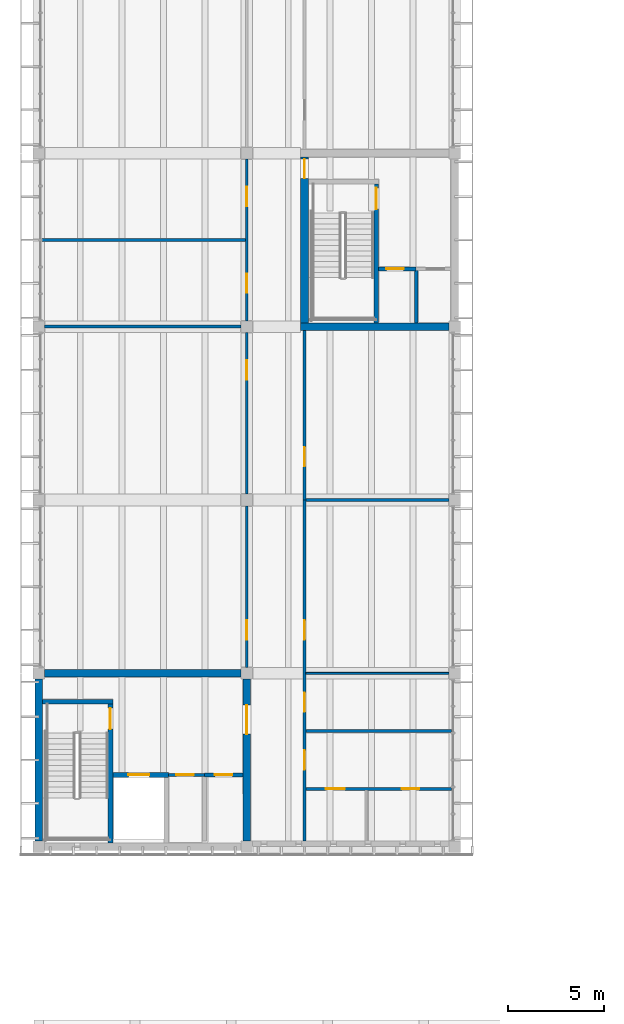
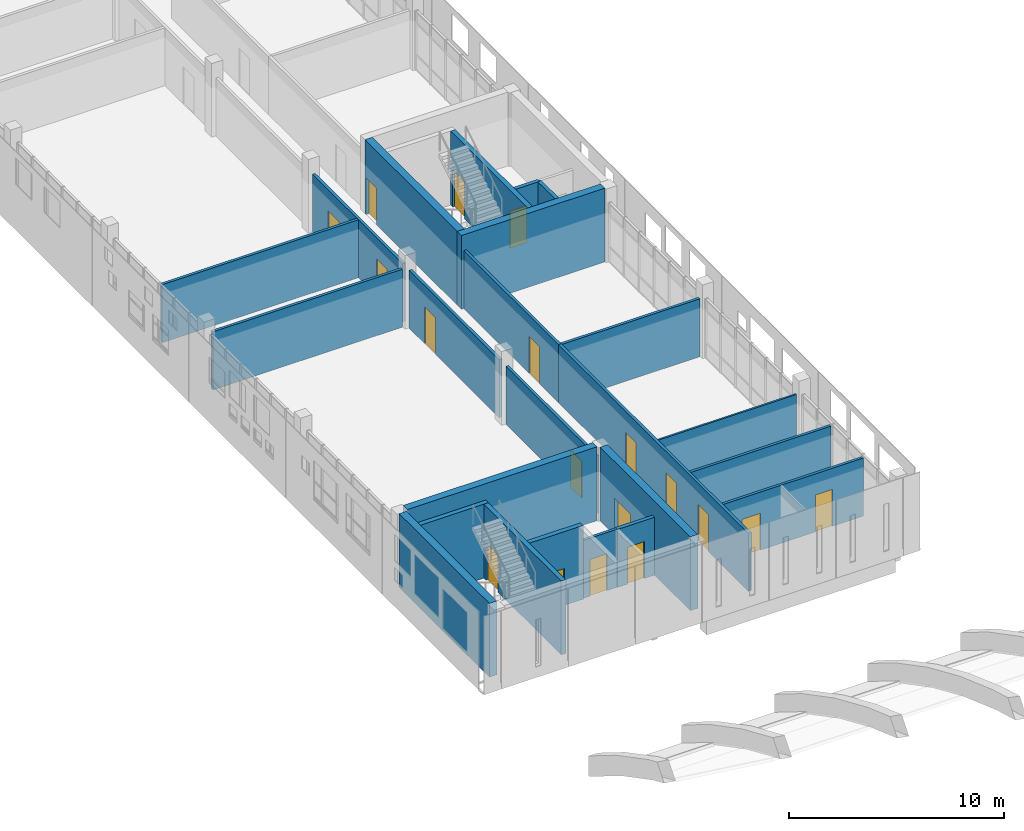
# One storey, part 52 of 88: 24 walls, 18 doors, 18 openings.
"""IFC4 building model written with IfcOpenShell, lengths in metres."""

from ifc_helpers import new_model, si_unit, direction, frame, frame_2d, origin, place, context, subcontext, project, spatial, rectangle, extrude, material, layer, layer_set, type_object, element, fill, save


model = new_model("IFC4")

# Units and contexts
model_context = context("Model", 3, precision=1e-05, world=origin(), true_north=direction((0.0, 1.0)))
body_context = subcontext(model_context, "Body", "Model", "MODEL_VIEW")
ifc_project = project(units=[si_unit("LENGTHUNIT", "METRE"), si_unit("AREAUNIT", "SQUARE_METRE"), si_unit("VOLUMEUNIT", "CUBIC_METRE"), si_unit("PLANEANGLEUNIT", "RADIAN"), si_unit("MASSUNIT", "GRAM", prefix="KILO")], contexts=[model_context])

# Site, building, storey
site_placement = place(None, origin())
site = spatial("IfcSite", under=ifc_project, at=site_placement, CompositionType="ELEMENT")
building_placement = place(site_placement, origin())
building = spatial("IfcBuilding", under=site, at=building_placement, Name="Merrow Basin Faculty of Sciences", CompositionType="ELEMENT")
storey_placement = place(building_placement, frame((0.0, 0.0, 9.0)))
storey = spatial("IfcBuildingStorey", under=building, at=storey_placement, Name="L02", CompositionType="ELEMENT", Elevation=9.0)

# Wall, openings, doors
ifc_material_1 = material(Name="Fire-rated gypsum board")
ifc_layer_1 = layer(ifc_material_1, 0.14990234375)
ifc_layer_set_1 = layer_set([ifc_layer_1], Name="Corridor partition 150 fire-rated board on steel studs")
wall_type_1 = type_object("IfcWallType", Name="Corridor partition 150 fire-rated board on steel studs", PredefinedType="PARTITIONING", material=ifc_layer_set_1)
wall_1_placement = place(storey_placement, frame((13.800048828125, 61.300048828125, 0.0), z_axis=(0.0, 0.0, 1.0), x_axis=(0.0, 1.0, 0.0)))
wall_1 = element("IfcWall", 1, at=wall_1_placement, inside=storey, type_object=wall_type_1, Name="IW151 L02 006", PredefinedType="PARTITIONING", context=body_context, shape_type="SweptSolid", body=[
    extrude(rectangle(XDim=17.699951171875, YDim=0.14990234375, at=frame_2d((8.85009765625, 0.0))), origin(), (0.0, 0.0, 1.0), 3.300048828125),
])
opening_1_placement = place(wall_1_placement, frame((3.699951171875, 0.0, 0.0)))
opening_1 = element("IfcOpeningElement", 2, at=opening_1_placement, cuts=wall_1, Name="Opening D02B014", PredefinedType="OPENING", context=body_context, shape_type="SweptSolid", body=[
    extrude(rectangle(XDim=1.0, YDim=2.10009765625, at=frame_2d((0.5, 1.050048828125))), frame((0.0, 0.0849609375, 0.0), z_axis=(0.0, -1.0, 0.0), x_axis=(1.0, 0.0, 0.0)), (0.0, 0.0, 1.0), 0.169921875),
])
opening_2_placement = place(wall_1_placement, frame((10.449951171875, 0.0, 0.0)))
opening_2 = element("IfcOpeningElement", 3, at=opening_2_placement, cuts=wall_1, Name="Opening D02B022", PredefinedType="OPENING", context=body_context, shape_type="SweptSolid", body=[
    extrude(rectangle(XDim=1.0, YDim=2.10009765625, at=frame_2d((0.5, 1.050048828125))), frame((0.0, 0.0849609375, 0.0), z_axis=(0.0, -1.0, 0.0), x_axis=(1.0, 0.0, 0.0)), (0.0, 0.0, 1.0), 0.169921875),
])
opening_3_placement = place(wall_1_placement, frame((6.699951171875, 0.0, 0.0)))
opening_3 = element("IfcOpeningElement", 4, at=opening_3_placement, cuts=wall_1, Name="Opening D02B026", PredefinedType="OPENING", context=body_context, shape_type="SweptSolid", body=[
    extrude(rectangle(XDim=1.0, YDim=2.10009765625, at=frame_2d((0.5, 1.050048828125))), frame((0.0, 0.0849609375, 0.0), z_axis=(0.0, -1.0, 0.0), x_axis=(1.0, 0.0, 0.0)), (0.0, 0.0, 1.0), 0.169921875),
])
ifc_material_2 = material(Name="Timber door leaf", Category="wood")
door_type_1 = type_object("IfcDoorType", Name="Single swing door 1000 x 2100", OperationType="NOTDEFINED", PredefinedType="DOOR", material=ifc_material_2)
door_1_placement = place(opening_1_placement, origin())
door_1 = element("IfcDoor", 5, at=door_1_placement, inside=storey, type_object=door_type_1, Name="Door D02B014", OperationType="SINGLE_SWING_LEFT", OverallHeight=2.10009765625, OverallWidth=1.0, PredefinedType="DOOR", context=body_context, shape_type="SweptSolid", body=[
    extrude(rectangle(XDim=1.0, YDim=2.10009765625, at=frame_2d((0.5, 1.050048828125))), frame((0.0, 0.02490234375, 0.0), z_axis=(0.0, -1.0, 0.0), x_axis=(1.0, 0.0, 0.0)), (0.0, 0.0, 1.0), 0.050048828125),
])
fill(opening_1, door_1)
door_2_placement = place(opening_2_placement, origin())
door_2 = element("IfcDoor", 6, at=door_2_placement, inside=storey, type_object=door_type_1, Name="Door D02B022", OperationType="SINGLE_SWING_LEFT", OverallHeight=2.10009765625, OverallWidth=1.0, PredefinedType="DOOR", context=body_context, shape_type="SweptSolid", body=[
    extrude(rectangle(XDim=1.0, YDim=2.10009765625, at=frame_2d((0.5, 1.050048828125))), frame((0.0, 0.02490234375, 0.0), z_axis=(0.0, -1.0, 0.0), x_axis=(1.0, 0.0, 0.0)), (0.0, 0.0, 1.0), 0.050048828125),
])
fill(opening_2, door_2)
door_3_placement = place(opening_3_placement, origin())
door_3 = element("IfcDoor", 7, at=door_3_placement, inside=storey, type_object=door_type_1, Name="Door D02B026", OperationType="SINGLE_SWING_LEFT", OverallHeight=2.10009765625, OverallWidth=1.0, PredefinedType="DOOR", context=body_context, shape_type="SweptSolid", body=[
    extrude(rectangle(XDim=1.0, YDim=2.10009765625, at=frame_2d((0.5, 1.050048828125))), frame((0.0, 0.02490234375, 0.0), z_axis=(0.0, -1.0, 0.0), x_axis=(1.0, 0.0, 0.0)), (0.0, 0.0, 1.0), 0.050048828125),
])
fill(opening_3, door_3)

wall_2_placement = place(storey_placement, frame((13.875, 64.0, 0.0), z_axis=(0.0, 0.0, 1.0), x_axis=(1.0, 0.0, 0.0)))
wall_2 = element("IfcWall", 8, at=wall_2_placement, inside=storey, type_object=wall_type_1, Name="IW151 L02 008", PredefinedType="PARTITIONING", context=body_context, shape_type="SweptSolid", body=[
    extrude(rectangle(XDim=7.544921875, YDim=0.14990234375, at=frame_2d((3.7724609375, 0.0))), origin(), (0.0, 0.0, 1.0), 3.300048828125),
])
opening_4_placement = place(wall_2_placement, frame((1.02490234375, 0.0, 0.0)))
opening_4 = element("IfcOpeningElement", 9, at=opening_4_placement, cuts=wall_2, Name="Opening D02B012", PredefinedType="OPENING", context=body_context, shape_type="SweptSolid", body=[
    extrude(rectangle(XDim=1.0, YDim=2.10009765625, at=frame_2d((0.5, 1.050048828125))), frame((0.0, 0.0849609375, 0.0), z_axis=(0.0, -1.0, 0.0), x_axis=(1.0, 0.0, 0.0)), (0.0, 0.0, 1.0), 0.169921875),
])
opening_5_placement = place(wall_2_placement, frame((4.97509765625, 0.0, 0.0)))
opening_5 = element("IfcOpeningElement", 10, at=opening_5_placement, cuts=wall_2, Name="Opening D02B013", PredefinedType="OPENING", context=body_context, shape_type="SweptSolid", body=[
    extrude(rectangle(XDim=0.89990234375, YDim=2.10009765625, at=frame_2d((0.449951171875, 1.050048828125))), frame((0.0, 0.0849609375, 0.0), z_axis=(0.0, -1.0, 0.0), x_axis=(1.0, 0.0, 0.0)), (0.0, 0.0, 1.0), 0.169921875),
])
ifc_material_3 = material(Name="Timber door leaf", Category="wood")
door_type_2 = type_object("IfcDoorType", Name="Accessible door 1000 x 2100", OperationType="NOTDEFINED", PredefinedType="DOOR", material=ifc_material_3)
door_4_placement = place(opening_4_placement, origin())
door_4 = element("IfcDoor", 11, at=door_4_placement, inside=storey, type_object=door_type_2, Name="Door D02B012", OperationType="SINGLE_SWING_LEFT", OverallHeight=2.10009765625, OverallWidth=1.0, PredefinedType="DOOR", context=body_context, shape_type="SweptSolid", body=[
    extrude(rectangle(XDim=1.0, YDim=2.10009765625, at=frame_2d((0.5, 1.050048828125))), frame((0.0, 0.02490234375, 0.0), z_axis=(0.0, -1.0, 0.0), x_axis=(1.0, 0.0, 0.0)), (0.0, 0.0, 1.0), 0.050048828125),
])
fill(opening_4, door_4)
ifc_material_4 = material(Name="Timber door leaf", Category="wood")
door_type_3 = type_object("IfcDoorType", Name="Single swing door 900 x 2100", OperationType="NOTDEFINED", PredefinedType="DOOR", material=ifc_material_4)
door_5_placement = place(opening_5_placement, origin())
door_5 = element("IfcDoor", 12, at=door_5_placement, inside=storey, type_object=door_type_3, Name="Door D02B013", OperationType="SINGLE_SWING_LEFT", OverallHeight=2.10009765625, OverallWidth=0.89990234375, PredefinedType="DOOR", context=body_context, shape_type="SweptSolid", body=[
    extrude(rectangle(XDim=0.89990234375, YDim=2.10009765625, at=frame_2d((0.449951171875, 1.050048828125))), frame((0.0, 0.02490234375, 0.0), z_axis=(0.0, -1.0, 0.0), x_axis=(1.0, 0.0, 0.0)), (0.0, 0.0, 1.0), 0.050048828125),
])
fill(opening_5, door_5)

# Wall, opening, door
wall_3_placement = place(storey_placement, frame((6.75, 64.72509765625, 0.0), z_axis=(0.0, 0.0, 1.0), x_axis=(1.0, 0.0, 0.0)))
wall_3 = element("IfcWall", 13, at=wall_3_placement, inside=storey, type_object=wall_type_1, Name="IW151 L02 009", PredefinedType="PARTITIONING", context=body_context, shape_type="SweptSolid", body=[
    extrude(rectangle(XDim=1.85009765625, YDim=0.14990234375, at=frame_2d((0.925048828125, 0.0))), origin(), (0.0, 0.0, 1.0), 3.300048828125),
])
opening_6_placement = place(wall_3_placement, frame((0.39990234375, 0.0, 0.0)))
opening_6 = element("IfcOpeningElement", 14, at=opening_6_placement, cuts=wall_3, Name="Opening D02B002", PredefinedType="OPENING", context=body_context, shape_type="SweptSolid", body=[
    extrude(rectangle(XDim=0.89990234375, YDim=2.10009765625, at=frame_2d((0.449951171875, 1.050048828125))), frame((0.0, 0.0849609375, 0.0), z_axis=(0.0, -1.0, 0.0), x_axis=(1.0, 0.0, 0.0)), (0.0, 0.0, 1.0), 0.169921875),
])
ifc_material_5 = material(Name="Fire-rated steel door", Category="steel")
door_type_4 = type_object("IfcDoorType", Name="Fire door FD60 900 x 2100", OperationType="NOTDEFINED", PredefinedType="DOOR", material=ifc_material_5)
door_6_placement = place(opening_6_placement, origin())
door_6 = element("IfcDoor", 15, at=door_6_placement, inside=storey, type_object=door_type_4, Name="Door D02B002", OperationType="SINGLE_SWING_LEFT", OverallHeight=2.10009765625, OverallWidth=0.89990234375, PredefinedType="DOOR", context=body_context, shape_type="SweptSolid", body=[
    extrude(rectangle(XDim=0.89990234375, YDim=2.10009765625, at=frame_2d((0.449951171875, 1.050048828125))), frame((0.0, 0.02490234375, 0.0), z_axis=(0.0, -1.0, 0.0), x_axis=(1.0, 0.0, 0.0)), (0.0, 0.0, 1.0), 0.050048828125),
])
fill(opening_6, door_6)

# Wall
wall_4_placement = place(storey_placement, frame((13.875, 67.0, 0.0), z_axis=(0.0, 0.0, 1.0), x_axis=(1.0, 0.0, 0.0)))
element("IfcWall", 16, at=wall_4_placement, inside=storey, type_object=wall_type_1, Name="IW151 L02 010", PredefinedType="PARTITIONING", context=body_context, shape_type="SweptSolid", body=[
    extrude(rectangle(XDim=7.544921875, YDim=0.14990234375, at=frame_2d((3.7724609375, 0.0))), origin(), (0.0, 0.0, 1.0), 3.300048828125),
])

# Wall, opening, door
ifc_material_6 = material(Name="Fire-rated gypsum board")
ifc_layer_2 = layer(ifc_material_6, 0.14990234375)
ifc_layer_set_2 = layer_set([ifc_layer_2], Name="Laboratory partition 150 fire-rated board on steel studs")
wall_type_2 = type_object("IfcWallType", Name="Laboratory partition 150 fire-rated board on steel studs", PredefinedType="PARTITIONING", material=ifc_layer_set_2)
wall_5_placement = place(storey_placement, frame((10.800048828125, 70.300048828125, 0.0), z_axis=(0.0, 0.0, 1.0), x_axis=(0.0, 1.0, 0.0)))
wall_5 = element("IfcWall", 17, at=wall_5_placement, inside=storey, type_object=wall_type_2, Name="IW150 L02 012", PredefinedType="PARTITIONING", context=body_context, shape_type="SweptSolid", body=[
    extrude(rectangle(XDim=8.39990234375, YDim=0.14990234375, at=frame_2d((4.199951171875, 0.0))), origin(), (0.0, 0.0, 1.0), 3.300048828125),
])
opening_7_placement = place(wall_5_placement, frame((1.449951171875, 0.0, 0.0)))
opening_7 = element("IfcOpeningElement", 18, at=opening_7_placement, cuts=wall_5, Name="Opening D02B015", PredefinedType="OPENING", context=body_context, shape_type="SweptSolid", body=[
    extrude(rectangle(XDim=1.0, YDim=2.10009765625, at=frame_2d((0.5, 1.050048828125))), frame((0.0, 0.0849609375, 0.0), z_axis=(0.0, -1.0, 0.0), x_axis=(1.0, 0.0, 0.0)), (0.0, 0.0, 1.0), 0.169921875),
])
ifc_material_7 = material(Name="Fire-rated steel door", Category="steel")
door_type_5 = type_object("IfcDoorType", Name="Fire door FD60 1000 x 2100", OperationType="NOTDEFINED", PredefinedType="DOOR", material=ifc_material_7)
door_7_placement = place(opening_7_placement, origin())
door_7 = element("IfcDoor", 19, at=door_7_placement, inside=storey, type_object=door_type_5, Name="Door D02B015", OperationType="SINGLE_SWING_LEFT", OverallHeight=2.10009765625, OverallWidth=1.0, PredefinedType="DOOR", context=body_context, shape_type="SweptSolid", body=[
    extrude(rectangle(XDim=1.0, YDim=2.10009765625, at=frame_2d((0.5, 1.050048828125))), frame((0.0, 0.02490234375, 0.0), z_axis=(0.0, -1.0, 0.0), x_axis=(1.0, 0.0, 0.0)), (0.0, 0.0, 1.0), 0.050048828125),
])
fill(opening_7, door_7)

wall_6_placement = place(storey_placement, frame((10.800048828125, 79.300048828125, 0.0), z_axis=(0.0, 0.0, 1.0), x_axis=(0.0, 1.0, 0.0)))
wall_6 = element("IfcWall", 20, at=wall_6_placement, inside=storey, type_object=wall_type_2, Name="IW150 L02 013", PredefinedType="PARTITIONING", context=body_context, shape_type="SweptSolid", body=[
    extrude(rectangle(XDim=8.39990234375, YDim=0.14990234375, at=frame_2d((4.199951171875, 0.0))), origin(), (0.0, 0.0, 1.0), 3.300048828125),
])
opening_8_placement = place(wall_6_placement, frame((5.949951171875, 0.0, 0.0)))
opening_8 = element("IfcOpeningElement", 21, at=opening_8_placement, cuts=wall_6, Name="Opening D02B016", PredefinedType="OPENING", context=body_context, shape_type="SweptSolid", body=[
    extrude(rectangle(XDim=1.0, YDim=2.10009765625, at=frame_2d((0.5, 1.050048828125))), frame((0.0, 0.0849609375, 0.0), z_axis=(0.0, -1.0, 0.0), x_axis=(1.0, 0.0, 0.0)), (0.0, 0.0, 1.0), 0.169921875),
])
door_8_placement = place(opening_8_placement, origin())
door_8 = element("IfcDoor", 22, at=door_8_placement, inside=storey, type_object=door_type_5, Name="Door D02B016", OperationType="SINGLE_SWING_RIGHT", OverallHeight=2.10009765625, OverallWidth=1.0, PredefinedType="DOOR", context=body_context, shape_type="SweptSolid", body=[
    extrude(rectangle(XDim=1.0, YDim=2.10009765625, at=frame_2d((0.5, 1.050048828125))), frame((0.0, 0.02490234375, 0.0), z_axis=(0.0, -1.0, 0.0), x_axis=(1.0, 0.0, 0.0)), (0.0, 0.0, 1.0), 0.050048828125),
])
fill(opening_8, door_8)

# Wall, openings, doors
wall_7_placement = place(storey_placement, frame((10.800048828125, 88.300048828125, 0.0), z_axis=(0.0, 0.0, 1.0), x_axis=(0.0, 1.0, 0.0)))
wall_7 = element("IfcWall", 23, at=wall_7_placement, inside=storey, type_object=wall_type_2, Name="IW150 L02 014", PredefinedType="PARTITIONING", context=body_context, shape_type="SweptSolid", body=[
    extrude(rectangle(XDim=8.39990234375, YDim=0.14990234375, at=frame_2d((4.199951171875, 0.0))), origin(), (0.0, 0.0, 1.0), 3.300048828125),
])
opening_9_placement = place(wall_7_placement, frame((1.449951171875, 0.0, 0.0)))
opening_9 = element("IfcOpeningElement", 24, at=opening_9_placement, cuts=wall_7, Name="Opening D02B017", PredefinedType="OPENING", context=body_context, shape_type="SweptSolid", body=[
    extrude(rectangle(XDim=1.0, YDim=2.10009765625, at=frame_2d((0.5, 1.050048828125))), frame((0.0, 0.0849609375, 0.0), z_axis=(0.0, -1.0, 0.0), x_axis=(1.0, 0.0, 0.0)), (0.0, 0.0, 1.0), 0.169921875),
])
opening_10_placement = place(wall_7_placement, frame((5.949951171875, 0.0, 0.0)))
opening_10 = element("IfcOpeningElement", 25, at=opening_10_placement, cuts=wall_7, Name="Opening D02B018", PredefinedType="OPENING", context=body_context, shape_type="SweptSolid", body=[
    extrude(rectangle(XDim=1.0, YDim=2.10009765625, at=frame_2d((0.5, 1.050048828125))), frame((0.0, 0.0849609375, 0.0), z_axis=(0.0, -1.0, 0.0), x_axis=(1.0, 0.0, 0.0)), (0.0, 0.0, 1.0), 0.169921875),
])
door_9_placement = place(opening_9_placement, origin())
door_9 = element("IfcDoor", 26, at=door_9_placement, inside=storey, type_object=door_type_5, Name="Door D02B017", OperationType="SINGLE_SWING_LEFT", OverallHeight=2.10009765625, OverallWidth=1.0, PredefinedType="DOOR", context=body_context, shape_type="SweptSolid", body=[
    extrude(rectangle(XDim=1.0, YDim=2.10009765625, at=frame_2d((0.5, 1.050048828125))), frame((0.0, 0.02490234375, 0.0), z_axis=(0.0, -1.0, 0.0), x_axis=(1.0, 0.0, 0.0)), (0.0, 0.0, 1.0), 0.050048828125),
])
fill(opening_9, door_9)
door_10_placement = place(opening_10_placement, origin())
door_10 = element("IfcDoor", 27, at=door_10_placement, inside=storey, type_object=door_type_5, Name="Door D02B018", OperationType="SINGLE_SWING_LEFT", OverallHeight=2.10009765625, OverallWidth=1.0, PredefinedType="DOOR", context=body_context, shape_type="SweptSolid", body=[
    extrude(rectangle(XDim=1.0, YDim=2.10009765625, at=frame_2d((0.5, 1.050048828125))), frame((0.0, 0.02490234375, 0.0), z_axis=(0.0, -1.0, 0.0), x_axis=(1.0, 0.0, 0.0)), (0.0, 0.0, 1.0), 0.050048828125),
])
fill(opening_10, door_10)

# Wall, opening, door
wall_8_placement = place(storey_placement, frame((13.800048828125, 79.0, 0.0), z_axis=(0.0, 0.0, 1.0), x_axis=(0.0, 1.0, 0.0)))
wall_8 = element("IfcWall", 28, at=wall_8_placement, inside=storey, type_object=wall_type_2, Name="IW150 L02 018", PredefinedType="PARTITIONING", context=body_context, shape_type="SweptSolid", body=[
    extrude(rectangle(XDim=8.800048828125, YDim=0.14990234375, at=frame_2d((4.39990234375, 0.0))), origin(), (0.0, 0.0, 1.0), 3.300048828125),
])
opening_11_placement = place(wall_8_placement, frame((1.75, 0.0, 0.0)))
opening_11 = element("IfcOpeningElement", 29, at=opening_11_placement, cuts=wall_8, Name="Opening D02B023", PredefinedType="OPENING", context=body_context, shape_type="SweptSolid", body=[
    extrude(rectangle(XDim=1.0, YDim=2.10009765625, at=frame_2d((0.5, 1.050048828125))), frame((0.0, 0.0849609375, 0.0), z_axis=(0.0, -1.0, 0.0), x_axis=(1.0, 0.0, 0.0)), (0.0, 0.0, 1.0), 0.169921875),
])
door_11_placement = place(opening_11_placement, origin())
door_11 = element("IfcDoor", 30, at=door_11_placement, inside=storey, type_object=door_type_5, Name="Door D02B023", OperationType="SINGLE_SWING_LEFT", OverallHeight=2.10009765625, OverallWidth=1.0, PredefinedType="DOOR", context=body_context, shape_type="SweptSolid", body=[
    extrude(rectangle(XDim=1.0, YDim=2.10009765625, at=frame_2d((0.5, 1.050048828125))), frame((0.0, 0.02490234375, 0.0), z_axis=(0.0, -1.0, 0.0), x_axis=(1.0, 0.0, 0.0)), (0.0, 0.0, 1.0), 0.050048828125),
])
fill(opening_11, door_11)

# Walls
wall_9_placement = place(storey_placement, frame((13.875, 79.0, 0.0), z_axis=(0.0, 0.0, 1.0), x_axis=(1.0, 0.0, 0.0)))
element("IfcWall", 31, at=wall_9_placement, inside=storey, type_object=wall_type_2, Name="IW150 L02 020", PredefinedType="PARTITIONING", context=body_context, shape_type="SweptSolid", body=[
    extrude(rectangle(XDim=7.425048828125, YDim=0.14990234375, at=frame_2d((3.71240234375, 0.0))), origin(), (0.0, 0.0, 1.0), 3.300048828125),
])
wall_10_placement = place(storey_placement, frame((0.300048828125, 88.0, 0.0), z_axis=(0.0, 0.0, 1.0), x_axis=(1.0, 0.0, 0.0)))
element("IfcWall", 32, at=wall_10_placement, inside=storey, type_object=wall_type_2, Name="IW150 L02 021", PredefinedType="PARTITIONING", context=body_context, shape_type="SweptSolid", body=[
    extrude(rectangle(XDim=10.199951171875, YDim=0.14990234375, at=frame_2d((5.10009765625, 0.0))), origin(), (0.0, 0.0, 1.0), 3.300048828125),
])
wall_11_placement = place(storey_placement, frame((0.179931640625, 92.5, 0.0), z_axis=(0.0, 0.0, 1.0), x_axis=(1.0, 0.0, 0.0)))
element("IfcWall", 33, at=wall_11_placement, inside=storey, type_object=wall_type_2, Name="IW150 L02 022", PredefinedType="PARTITIONING", context=body_context, shape_type="SweptSolid", body=[
    extrude(rectangle(XDim=10.545166015625, YDim=0.14990234375, at=frame_2d((5.2724609375, 0.0))), origin(), (0.0, 0.0, 1.0), 3.300048828125),
])
ifc_material_8 = material(Name="Gypsum board")
ifc_layer_3 = layer(ifc_material_8, 0.10009765625)
ifc_layer_set_3 = layer_set([ifc_layer_3], Name="Partition 100 gypsum board on steel studs")
wall_type_3 = type_object("IfcWallType", Name="Partition 100 gypsum board on steel studs", PredefinedType="PARTITIONING", material=ifc_layer_set_3)
wall_12_placement = place(storey_placement, frame((13.875, 70.0, 0.0), z_axis=(0.0, 0.0, 1.0), x_axis=(1.0, 0.0, 0.0)))
element("IfcWall", 34, at=wall_12_placement, inside=storey, type_object=wall_type_3, Name="IW100 L02 028", PredefinedType="PARTITIONING", context=body_context, shape_type="SweptSolid", body=[
    extrude(rectangle(XDim=7.425048828125, YDim=0.10009765625, at=frame_2d((3.71240234375, 0.0))), origin(), (0.0, 0.0, 1.0), 3.300048828125),
])
ifc_material_9 = material(Name="Fire-rated gypsum board")
ifc_layer_4 = layer(ifc_material_9, 0.199951171875)
ifc_layer_set_4 = layer_set([ifc_layer_4], Name="Riser lining 200 fire-rated board on steel studs")
wall_type_4 = type_object("IfcWallType", Name="Riser lining 200 fire-rated board on steel studs", PredefinedType="PARTITIONING", material=ifc_layer_set_4)
wall_13_placement = place(storey_placement, frame((19.60009765625, 88.199951171875, 0.0), z_axis=(0.0, 0.0, 1.0), x_axis=(0.0, 1.0, 0.0)))
element("IfcWall", 35, at=wall_13_placement, inside=storey, type_object=wall_type_4, Name="IW200 L02 002", PredefinedType="PARTITIONING", context=body_context, shape_type="SweptSolid", body=[
    extrude(rectangle(XDim=2.800048828125, YDim=0.199951171875, at=frame_2d((1.39990234375, 0.0))), origin(), (0.0, 0.0, 1.0), 3.300048828125),
])

# Wall, opening, door
wall_14_placement = place(storey_placement, frame((8.60009765625, 64.72509765625, 0.0), z_axis=(0.0, 0.0, 1.0), x_axis=(1.0, 0.0, 0.0)))
wall_14 = element("IfcWall", 36, at=wall_14_placement, inside=storey, type_object=wall_type_4, Name="IW200 L02 003", PredefinedType="PARTITIONING", context=body_context, shape_type="SweptSolid", body=[
    extrude(rectangle(XDim=2.0, YDim=0.199951171875, at=frame_2d((1.0, 0.0))), origin(), (0.0, 0.0, 1.0), 3.300048828125),
])
opening_12_placement = place(wall_14_placement, frame((0.550048828125, 0.0, 0.0)))
opening_12 = element("IfcOpeningElement", 37, at=opening_12_placement, cuts=wall_14, Name="Opening D02B003", PredefinedType="OPENING", context=body_context, shape_type="SweptSolid", body=[
    extrude(rectangle(XDim=0.89990234375, YDim=2.10009765625, at=frame_2d((0.449951171875, 1.050048828125))), frame((0.0, 0.10986328125, 0.0), z_axis=(0.0, -1.0, 0.0), x_axis=(1.0, 0.0, 0.0)), (0.0, 0.0, 1.0), 0.219970703125),
])
door_12_placement = place(opening_12_placement, origin())
door_12 = element("IfcDoor", 38, at=door_12_placement, inside=storey, type_object=door_type_4, Name="Door D02B003", OperationType="SINGLE_SWING_LEFT", OverallHeight=2.10009765625, OverallWidth=0.89990234375, PredefinedType="DOOR", context=body_context, shape_type="SweptSolid", body=[
    extrude(rectangle(XDim=0.89990234375, YDim=2.10009765625, at=frame_2d((0.449951171875, 1.050048828125))), frame((0.0, 0.02490234375, 0.0), z_axis=(0.0, -1.0, 0.0), x_axis=(1.0, 0.0, 0.0)), (0.0, 0.0, 1.0), 0.050048828125),
])
fill(opening_12, door_12)

wall_15_placement = place(storey_placement, frame((17.64990234375, 91.0, 0.0), z_axis=(0.0, 0.0, 1.0), x_axis=(1.0, 0.0, 0.0)))
wall_15 = element("IfcWall", 39, at=wall_15_placement, inside=storey, type_object=wall_type_4, Name="IW200 L02 004", PredefinedType="PARTITIONING", context=body_context, shape_type="SweptSolid", body=[
    extrude(rectangle(XDim=1.9501953125, YDim=0.199951171875, at=frame_2d((0.97509765625, 0.0))), origin(), (0.0, 0.0, 1.0), 3.300048828125),
])
opening_13_placement = place(wall_15_placement, frame((0.39990234375, 0.0, 0.0)))
opening_13 = element("IfcOpeningElement", 40, at=opening_13_placement, cuts=wall_15, Name="Opening D02B007", PredefinedType="OPENING", context=body_context, shape_type="SweptSolid", body=[
    extrude(rectangle(XDim=0.89990234375, YDim=2.10009765625, at=frame_2d((0.449951171875, 1.050048828125))), frame((0.0, 0.10986328125, 0.0), z_axis=(0.0, -1.0, 0.0), x_axis=(1.0, 0.0, 0.0)), (0.0, 0.0, 1.0), 0.219970703125),
])
door_13_placement = place(opening_13_placement, origin())
door_13 = element("IfcDoor", 41, at=door_13_placement, inside=storey, type_object=door_type_4, Name="Door D02B007", OperationType="SINGLE_SWING_LEFT", OverallHeight=2.10009765625, OverallWidth=0.89990234375, PredefinedType="DOOR", context=body_context, shape_type="SweptSolid", body=[
    extrude(rectangle(XDim=0.89990234375, YDim=2.10009765625, at=frame_2d((0.449951171875, 1.050048828125))), frame((0.0, 0.02490234375, 0.0), z_axis=(0.0, -1.0, 0.0), x_axis=(1.0, 0.0, 0.0)), (0.0, 0.0, 1.0), 0.050048828125),
])
fill(opening_13, door_13)

# Wall
ifc_material_10 = material(Name="Concrete C40/50", Category="concrete")
ifc_layer_5 = layer(ifc_material_10, 0.25)
ifc_layer_set_5 = layer_set([ifc_layer_5], Name="Shear wall 250 Concrete C40/50")
wall_type_5 = type_object("IfcWallType", Name="Shear wall 250 Concrete C40/50", PredefinedType="SHEAR", material=ifc_layer_set_5)
wall_16_placement = place(storey_placement, frame((0.199951171875, 68.52490234375, 0.0), z_axis=(0.0, 0.0, 1.0), x_axis=(1.0, 0.0, 0.0)))
element("IfcWall", 42, at=wall_16_placement, inside=storey, type_object=wall_type_5, Name="SW2 L02 005", PredefinedType="SHEAR", context=body_context, shape_type="SweptSolid", body=[
    extrude(rectangle(XDim=3.650146484375, YDim=0.25, at=frame_2d((1.8251953125, 0.0))), origin(), (0.0, 0.0, 1.0), 4.199951171875),
])

# Wall, opening, door
wall_17_placement = place(storey_placement, frame((3.72509765625, 61.199951171875, 0.0), z_axis=(0.0, 0.0, 1.0), x_axis=(0.0, 1.0, 0.0)))
wall_17 = element("IfcWall", 43, at=wall_17_placement, inside=storey, type_object=wall_type_5, Name="SW2 L02 006", PredefinedType="SHEAR", context=body_context, shape_type="SweptSolid", body=[
    extrude(rectangle(XDim=7.199951171875, YDim=0.25, at=frame_2d((3.60009765625, 0.0))), origin(), (0.0, 0.0, 1.0), 4.199951171875),
])
opening_14_placement = place(wall_17_placement, frame((5.89990234375, 0.0, 0.0)))
opening_14 = element("IfcOpeningElement", 44, at=opening_14_placement, cuts=wall_17, Name="Opening D02B001", PredefinedType="OPENING", context=body_context, shape_type="SweptSolid", body=[
    extrude(rectangle(XDim=1.10009765625, YDim=2.10009765625, at=frame_2d((0.550048828125, 1.050048828125))), frame((0.0, 0.135009765625, 0.0), z_axis=(0.0, -1.0, 0.0), x_axis=(1.0, 0.0, 0.0)), (0.0, 0.0, 1.0), 0.27001953125),
])
ifc_material_11 = material(Name="Fire-rated steel door", Category="steel")
door_type_6 = type_object("IfcDoorType", Name="Fire door FD90 1100 x 2100", OperationType="NOTDEFINED", PredefinedType="DOOR", material=ifc_material_11)
door_14_placement = place(opening_14_placement, origin())
door_14 = element("IfcDoor", 45, at=door_14_placement, inside=storey, type_object=door_type_6, Name="Stair S door", OperationType="SINGLE_SWING_RIGHT", OverallHeight=2.10009765625, OverallWidth=1.10009765625, PredefinedType="DOOR", context=body_context, shape_type="SweptSolid", body=[
    extrude(rectangle(XDim=1.10009765625, YDim=2.10009765625, at=frame_2d((0.550048828125, 1.050048828125))), frame((0.0, 0.02490234375, 0.0), z_axis=(0.0, -1.0, 0.0), x_axis=(1.0, 0.0, 0.0)), (0.0, 0.0, 1.0), 0.050048828125),
])
fill(opening_14, door_14)

wall_18_placement = place(storey_placement, frame((3.85009765625, 64.72509765625, 0.0), z_axis=(0.0, 0.0, 1.0), x_axis=(1.0, 0.0, 0.0)))
wall_18 = element("IfcWall", 46, at=wall_18_placement, inside=storey, type_object=wall_type_5, Name="SW2 L02 007", PredefinedType="SHEAR", context=body_context, shape_type="SweptSolid", body=[
    extrude(rectangle(XDim=2.89990234375, YDim=0.25, at=frame_2d((1.449951171875, 0.0))), origin(), (0.0, 0.0, 1.0), 4.199951171875),
])
opening_15_placement = place(wall_18_placement, frame((0.800048828125, 0.0, 0.0)))
opening_15 = element("IfcOpeningElement", 47, at=opening_15_placement, cuts=wall_18, Name="Opening LD02B01", PredefinedType="OPENING", context=body_context, shape_type="SweptSolid", body=[
    extrude(rectangle(XDim=1.10009765625, YDim=2.10009765625, at=frame_2d((0.550048828125, 1.050048828125))), frame((0.0, 0.135009765625, 0.0), z_axis=(0.0, -1.0, 0.0), x_axis=(1.0, 0.0, 0.0)), (0.0, 0.0, 1.0), 0.27001953125),
])
ifc_material_12 = material(Name="Stainless steel sliding door", Category="steel")
door_type_7 = type_object("IfcDoorType", Name="Lift landing door 1100 x 2100 sliding", OperationType="NOTDEFINED", PredefinedType="DOOR", material=ifc_material_12)
door_15_placement = place(opening_15_placement, origin())
door_15 = element("IfcDoor", 48, at=door_15_placement, inside=storey, type_object=door_type_7, Name="Landing door LF1 L02", OperationType="SLIDING_TO_LEFT", OverallHeight=2.10009765625, OverallWidth=1.10009765625, PredefinedType="DOOR", context=body_context, shape_type="SweptSolid", body=[
    extrude(rectangle(XDim=1.10009765625, YDim=2.10009765625, at=frame_2d((0.550048828125, 1.050048828125))), frame((0.0, 0.02490234375, 0.0), z_axis=(0.0, -1.0, 0.0), x_axis=(1.0, 0.0, 0.0)), (0.0, 0.0, 1.0), 0.050048828125),
])
fill(opening_15, door_15)

wall_19_placement = place(storey_placement, frame((17.52490234375, 88.199951171875, 0.0), z_axis=(0.0, 0.0, 1.0), x_axis=(0.0, 1.0, 0.0)))
wall_19 = element("IfcWall", 49, at=wall_19_placement, inside=storey, type_object=wall_type_5, Name="SW2 L02 014", PredefinedType="SHEAR", context=body_context, shape_type="SweptSolid", body=[
    extrude(rectangle(XDim=7.199951171875, YDim=0.25, at=frame_2d((3.60009765625, 0.0))), origin(), (0.0, 0.0, 1.0), 4.199951171875),
])
opening_16_placement = place(wall_19_placement, frame((5.89990234375, 0.0, 0.0)))
opening_16 = element("IfcOpeningElement", 50, at=opening_16_placement, cuts=wall_19, Name="Opening D02B005", PredefinedType="OPENING", context=body_context, shape_type="SweptSolid", body=[
    extrude(rectangle(XDim=1.10009765625, YDim=2.10009765625, at=frame_2d((0.550048828125, 1.050048828125))), frame((0.0, 0.135009765625, 0.0), z_axis=(0.0, -1.0, 0.0), x_axis=(1.0, 0.0, 0.0)), (0.0, 0.0, 1.0), 0.27001953125),
])
door_16_placement = place(opening_16_placement, origin())
door_16 = element("IfcDoor", 51, at=door_16_placement, inside=storey, type_object=door_type_6, Name="Door D02B005", OperationType="SINGLE_SWING_RIGHT", OverallHeight=2.10009765625, OverallWidth=1.10009765625, PredefinedType="DOOR", context=body_context, shape_type="SweptSolid", body=[
    extrude(rectangle(XDim=1.10009765625, YDim=2.10009765625, at=frame_2d((0.550048828125, 1.050048828125))), frame((0.0, 0.02490234375, 0.0), z_axis=(0.0, -1.0, 0.0), x_axis=(1.0, 0.0, 0.0)), (0.0, 0.0, 1.0), 0.050048828125),
])
fill(opening_16, door_16)

# Walls
ifc_material_13 = material(Name="Concrete C40/50", Category="concrete")
ifc_layer_6 = layer(ifc_material_13, 0.39990234375)
ifc_layer_set_6 = layer_set([ifc_layer_6], Name="Shear wall 400 Concrete C40/50")
wall_type_6 = type_object("IfcWallType", Name="Shear wall 400 Concrete C40/50", PredefinedType="SHEAR", material=ifc_layer_set_6)
wall_20_placement = place(storey_placement, frame((0.300048828125, 70.0, 0.0), z_axis=(0.0, 0.0, 1.0), x_axis=(1.0, 0.0, 0.0)))
element("IfcWall", 52, at=wall_20_placement, inside=storey, type_object=wall_type_6, Name="SW1 L02 002", PredefinedType="SHEAR", context=body_context, shape_type="SweptSolid", body=[
    extrude(rectangle(XDim=10.199951171875, YDim=0.39990234375, at=frame_2d((5.10009765625, 0.0))), origin(), (0.0, 0.0, 1.0), 4.199951171875),
])
wall_21_placement = place(storey_placement, frame((0.0, 61.300048828125, 0.0), z_axis=(0.0, 0.0, 1.0), x_axis=(0.0, 1.0, 0.0)))
element("IfcWall", 53, at=wall_21_placement, inside=storey, type_object=wall_type_6, Name="SW1 L02 003", PredefinedType="SHEAR", context=body_context, shape_type="SweptSolid", body=[
    extrude(rectangle(XDim=8.39990234375, YDim=0.39990234375, at=frame_2d((4.199951171875, 0.0))), origin(), (0.0, 0.0, 1.0), 4.199951171875),
])

# Wall, opening, door
wall_22_placement = place(storey_placement, frame((10.800048828125, 61.300048828125, 0.0), z_axis=(0.0, 0.0, 1.0), x_axis=(0.0, 1.0, 0.0)))
wall_22 = element("IfcWall", 54, at=wall_22_placement, inside=storey, type_object=wall_type_6, Name="SW1 L02 004", PredefinedType="SHEAR", context=body_context, shape_type="SweptSolid", body=[
    extrude(rectangle(XDim=8.39990234375, YDim=0.39990234375, at=frame_2d((4.199951171875, 0.0))), origin(), (0.0, 0.0, 1.0), 4.199951171875),
])
opening_17_placement = place(wall_22_placement, frame((5.550048828125, 0.0, 0.0)))
opening_17 = element("IfcOpeningElement", 55, at=opening_17_placement, cuts=wall_22, Name="Opening D02B004", PredefinedType="OPENING", context=body_context, shape_type="SweptSolid", body=[
    extrude(rectangle(XDim=1.5, YDim=2.10009765625, at=frame_2d((0.75, 1.050048828125))), frame((0.0, 0.2099609375, 0.0), z_axis=(0.0, -1.0, 0.0), x_axis=(1.0, 0.0, 0.0)), (0.0, 0.0, 1.0), 0.419921875),
])
ifc_material_14 = material(Name="Fire-rated steel door", Category="steel")
door_type_8 = type_object("IfcDoorType", Name="Fire door FD60 1500 x 2100", OperationType="NOTDEFINED", PredefinedType="DOOR", material=ifc_material_14)
door_17_placement = place(opening_17_placement, origin())
door_17 = element("IfcDoor", 56, at=door_17_placement, inside=storey, type_object=door_type_8, Name="Door D02B004", OperationType="DOUBLE_DOOR_SINGLE_SWING", OverallHeight=2.10009765625, OverallWidth=1.5, PredefinedType="DOOR", context=body_context, shape_type="SweptSolid", body=[
    extrude(rectangle(XDim=1.5, YDim=2.10009765625, at=frame_2d((0.75, 1.050048828125))), frame((0.0, 0.02490234375, 0.0), z_axis=(0.0, -1.0, 0.0), x_axis=(1.0, 0.0, 0.0)), (0.0, 0.0, 1.0), 0.050048828125),
])
fill(opening_17, door_17)

# Wall
wall_23_placement = place(storey_placement, frame((13.60009765625, 88.0, 0.0), z_axis=(0.0, 0.0, 1.0), x_axis=(1.0, 0.0, 0.0)))
element("IfcWall", 57, at=wall_23_placement, inside=storey, type_object=wall_type_6, Name="SW1 L02 009", PredefinedType="SHEAR", context=body_context, shape_type="SweptSolid", body=[
    extrude(rectangle(XDim=7.699951171875, YDim=0.39990234375, at=frame_2d((3.85009765625, 0.0))), origin(), (0.0, 0.0, 1.0), 4.199951171875),
])

# Wall, opening, door
wall_24_placement = place(storey_placement, frame((13.800048828125, 88.199951171875, 0.0), z_axis=(0.0, 0.0, 1.0), x_axis=(0.0, 1.0, 0.0)))
wall_24 = element("IfcWall", 58, at=wall_24_placement, inside=storey, type_object=wall_type_6, Name="SW1 L02 011", PredefinedType="SHEAR", context=body_context, shape_type="SweptSolid", body=[
    extrude(rectangle(XDim=8.60009765625, YDim=0.39990234375, at=frame_2d((4.300048828125, 0.0))), origin(), (0.0, 0.0, 1.0), 4.199951171875),
])
opening_18_placement = place(wall_24_placement, frame((7.5, 0.0, 0.0)))
opening_18 = element("IfcOpeningElement", 59, at=opening_18_placement, cuts=wall_24, Name="Opening D02B006", PredefinedType="OPENING", context=body_context, shape_type="SweptSolid", body=[
    extrude(rectangle(XDim=1.0, YDim=2.10009765625, at=frame_2d((0.5, 1.050048828125))), frame((0.0, 0.2099609375, 0.0), z_axis=(0.0, -1.0, 0.0), x_axis=(1.0, 0.0, 0.0)), (0.0, 0.0, 1.0), 0.419921875),
])
door_18_placement = place(opening_18_placement, origin())
door_18 = element("IfcDoor", 60, at=door_18_placement, inside=storey, type_object=door_type_5, Name="Door D02B006", OperationType="SINGLE_SWING_RIGHT", OverallHeight=2.10009765625, OverallWidth=1.0, PredefinedType="DOOR", context=body_context, shape_type="SweptSolid", body=[
    extrude(rectangle(XDim=1.0, YDim=2.10009765625, at=frame_2d((0.5, 1.050048828125))), frame((0.0, 0.02490234375, 0.0), z_axis=(0.0, -1.0, 0.0), x_axis=(1.0, 0.0, 0.0)), (0.0, 0.0, 1.0), 0.050048828125),
])
fill(opening_18, door_18)

save(model, "model.ifc")
